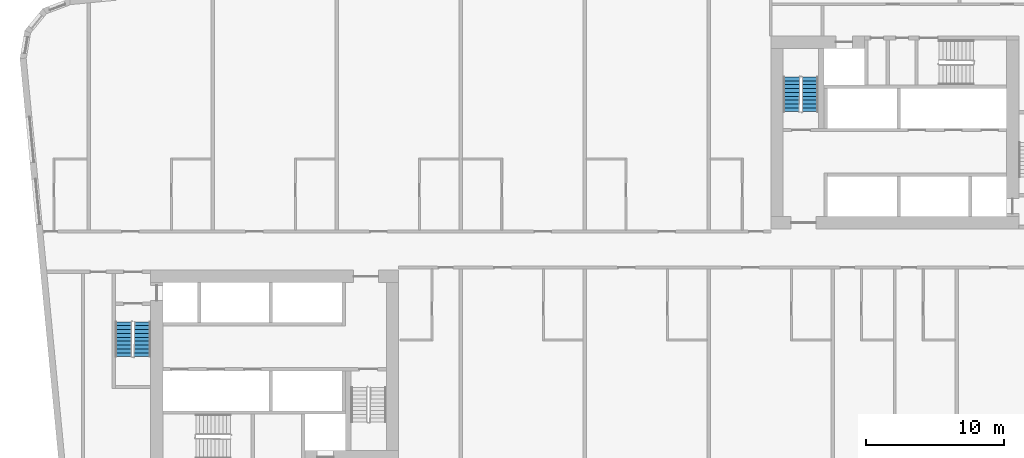
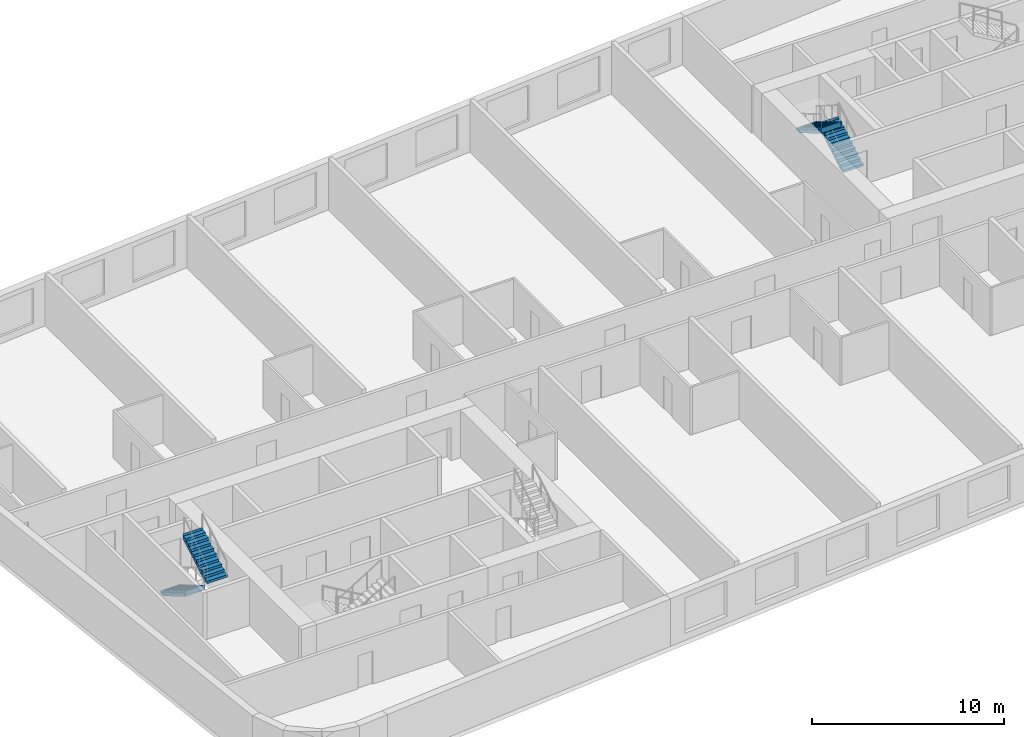
# One storey, part 10 of 12: 4 stair flights, 2 elements without a shape of their own.
"""IFC4 building model written with IfcOpenShell, lengths in metres."""

from ifc_helpers import new_model, si_unit, direction, frame, origin, place, context, subcontext, project, spatial, faceted_brep, material, type_object, element, aggregate, save


model = new_model("IFC4")

# Units and contexts
model_context = context("Model", 3, precision=1e-05, world=origin(), true_north=direction((0.0, 1.0)))
body_context = subcontext(model_context, "Body", "Model", "MODEL_VIEW")
ifc_project = project(units=[si_unit("LENGTHUNIT", "METRE"), si_unit("AREAUNIT", "SQUARE_METRE"), si_unit("VOLUMEUNIT", "CUBIC_METRE"), si_unit("PLANEANGLEUNIT", "RADIAN"), si_unit("MASSUNIT", "GRAM", prefix="KILO")], contexts=[model_context])

# Site, building, storey
site_placement = place(None, origin())
site = spatial("IfcSite", under=ifc_project, at=site_placement, CompositionType="ELEMENT")
building_placement = place(site_placement, origin())
building = spatial("IfcBuilding", under=site, at=building_placement, Name="Kajstack Hotel Tower", CompositionType="ELEMENT")
storey_placement = place(building_placement, frame((0.0, 0.0, 143.800048828125)))
storey = spatial("IfcBuildingStorey", under=building, at=storey_placement, Name="L33", CompositionType="ELEMENT", Elevation=143.800048828125)

# Stair, stair flights
ifc_material = material(Name="Concrete C40/50", Category="concrete")
stair_type = type_object("IfcStairType", Name="Exit stair 1200", PredefinedType="HALF_TURN_STAIR", material=ifc_material)
stair_1_placement = place(storey_placement, origin())
stair_1 = element("IfcStair", 1, at=stair_1_placement, inside=storey, type_object=stair_type, Name="L33 stair W1", PredefinedType="HALF_TURN_STAIR")
stair_flight_type = type_object("IfcStairFlightType", Name="Exit stair flight 1200", PredefinedType="STRAIGHT", material=ifc_material)
stair_flight_1_placement = place(storey_placement, frame((-33.449951171875, -5.25, 0.0), z_axis=(0.0, 0.0, 1.0), x_axis=(0.0, -1.0, 0.0)))
stair_flight_1 = element("IfcStairFlight", 2, at=stair_flight_1_placement, type_object=stair_flight_type, Name="W1 flight 1", NumberOfRisers=10, NumberOfTreads=9, PredefinedType="STRAIGHT", RiserHeight=0.165, TreadLength=0.28, context=body_context, shape_type="Brep", body=[
    faceted_brep([(0.295654296875, -0.60009765625, 0.0), (2.5205078125, -0.60009765625, 1.31103515625), (2.5205078125, -0.60009765625, 1.64990234375), (2.52001953125, -0.60009765625, 1.64990234375), (2.52001953125, -0.60009765625, 1.485107421875), (2.239990234375, -0.60009765625, 1.485107421875), (2.239990234375, -0.60009765625, 1.320068359375), (1.9599609375, -0.60009765625, 1.320068359375), (1.9599609375, -0.60009765625, 1.155029296875), (1.679931640625, -0.60009765625, 1.155029296875), (1.679931640625, -0.60009765625, 0.989990234375), (1.39990234375, -0.60009765625, 0.989990234375), (1.39990234375, -0.60009765625, 0.824951171875), (1.1201171875, -0.60009765625, 0.824951171875), (1.1201171875, -0.60009765625, 0.659912109375), (0.840087890625, -0.60009765625, 0.659912109375), (0.840087890625, -0.60009765625, 0.4951171875), (0.56005859375, -0.60009765625, 0.4951171875), (0.56005859375, -0.60009765625, 0.330078125), (0.280029296875, -0.60009765625, 0.330078125), (0.280029296875, -0.60009765625, 0.1650390625), (-0.00048828125, -0.60009765625, 0.1650390625), (-0.00048828125, -0.60009765625, 0.0), (-0.00048828125, 0.60009765625, 0.0), (-0.00048828125, 0.60009765625, 0.1650390625), (0.280029296875, 0.60009765625, 0.1650390625), (0.280029296875, 0.60009765625, 0.330078125), (0.56005859375, 0.60009765625, 0.330078125), (0.56005859375, 0.60009765625, 0.4951171875), (0.840087890625, 0.60009765625, 0.4951171875), (0.840087890625, 0.60009765625, 0.659912109375), (1.1201171875, 0.60009765625, 0.659912109375), (1.1201171875, 0.60009765625, 0.824951171875), (1.39990234375, 0.60009765625, 0.824951171875), (1.39990234375, 0.60009765625, 0.989990234375), (1.679931640625, 0.60009765625, 0.989990234375), (1.679931640625, 0.60009765625, 1.155029296875), (1.9599609375, 0.60009765625, 1.155029296875), (1.9599609375, 0.60009765625, 1.320068359375), (2.239990234375, 0.60009765625, 1.320068359375), (2.239990234375, 0.60009765625, 1.485107421875), (2.52001953125, 0.60009765625, 1.485107421875), (2.52001953125, 0.60009765625, 1.64990234375), (2.5205078125, 0.60009765625, 1.64990234375), (2.5205078125, 0.60009765625, 1.31103515625), (0.295654296875, 0.60009765625, 0.0), (-0.00048828125, -0.300048828125, 0.1650390625), (-0.00048828125, 0.0, 0.1650390625), (-0.00048828125, 0.300048828125, 0.1650390625), (-0.00048828125, 0.300048828125, 0.0), (-0.00048828125, 0.0, 0.0), (-0.00048828125, -0.300048828125, 0.0), (0.280029296875, -0.300048828125, 0.1650390625), (0.280029296875, 0.0, 0.1650390625), (0.280029296875, 0.300048828125, 0.1650390625), (0.280029296875, -0.300048828125, 0.330078125), (0.280029296875, 0.0, 0.330078125), (0.280029296875, 0.300048828125, 0.330078125), (0.56005859375, -0.300048828125, 0.330078125), (0.56005859375, 0.0, 0.330078125), (0.56005859375, 0.300048828125, 0.330078125), (0.56005859375, -0.300048828125, 0.4951171875), (0.56005859375, 0.0, 0.4951171875), (0.56005859375, 0.300048828125, 0.4951171875), (0.840087890625, -0.300048828125, 0.4951171875), (0.840087890625, 0.0, 0.4951171875), (0.840087890625, 0.300048828125, 0.4951171875), (0.840087890625, -0.300048828125, 0.659912109375), (0.840087890625, 0.0, 0.659912109375), (0.840087890625, 0.300048828125, 0.659912109375), (1.1201171875, -0.300048828125, 0.659912109375), (1.1201171875, 0.0, 0.659912109375), (1.1201171875, 0.300048828125, 0.659912109375), (1.1201171875, -0.300048828125, 0.824951171875), (1.1201171875, 0.0, 0.824951171875), (1.1201171875, 0.300048828125, 0.824951171875), (1.39990234375, -0.300048828125, 0.824951171875), (1.39990234375, 0.0, 0.824951171875), (1.39990234375, 0.300048828125, 0.824951171875), (1.39990234375, -0.300048828125, 0.989990234375), (1.39990234375, 0.0, 0.989990234375), (1.39990234375, 0.300048828125, 0.989990234375), (1.679931640625, -0.300048828125, 0.989990234375), (1.679931640625, 0.0, 0.989990234375), (1.679931640625, 0.300048828125, 0.989990234375), (1.679931640625, -0.300048828125, 1.155029296875), (1.679931640625, 0.0, 1.155029296875), (1.679931640625, 0.300048828125, 1.155029296875), (1.9599609375, -0.300048828125, 1.155029296875), (1.9599609375, 0.0, 1.155029296875), (1.9599609375, 0.300048828125, 1.155029296875), (1.9599609375, -0.300048828125, 1.320068359375), (1.9599609375, 0.0, 1.320068359375), (1.9599609375, 0.300048828125, 1.320068359375), (2.239990234375, -0.300048828125, 1.320068359375), (2.239990234375, 0.0, 1.320068359375), (2.239990234375, 0.300048828125, 1.320068359375), (2.239990234375, -0.300048828125, 1.485107421875), (2.239990234375, 0.0, 1.485107421875), (2.239990234375, 0.300048828125, 1.485107421875), (2.52001953125, -0.300048828125, 1.485107421875), (2.52001953125, 0.0, 1.485107421875), (2.52001953125, 0.300048828125, 1.485107421875), (2.52001953125, -0.300048828125, 1.64990234375), (2.52001953125, 0.0, 1.64990234375), (2.52001953125, 0.300048828125, 1.64990234375), (2.5205078125, -0.300048828125, 1.64990234375), (2.5205078125, 0.0, 1.64990234375), (2.5205078125, 0.300048828125, 1.64990234375), (2.5205078125, -0.300048828125, 1.31103515625), (2.5205078125, 0.0, 1.31103515625), (2.5205078125, 0.300048828125, 1.31103515625), (0.295654296875, -0.300048828125, 0.0), (0.295654296875, 0.0, 0.0), (0.295654296875, 0.300048828125, 0.0)], [[[0, 1, 2, 3, 4, 5, 6, 7, 8, 9, 10, 11, 12, 13, 14, 15, 16, 17, 18, 19, 20, 21, 22]], [[23, 24, 25, 26, 27, 28, 29, 30, 31, 32, 33, 34, 35, 36, 37, 38, 39, 40, 41, 42, 43, 44, 45]], [[21, 46, 47, 48, 24, 23, 49, 50, 51, 22]], [[20, 52, 53, 54, 25, 24, 48, 47, 46, 21]], [[19, 55, 56, 57, 26, 25, 54, 53, 52, 20]], [[18, 58, 59, 60, 27, 26, 57, 56, 55, 19]], [[17, 61, 62, 63, 28, 27, 60, 59, 58, 18]], [[16, 64, 65, 66, 29, 28, 63, 62, 61, 17]], [[15, 67, 68, 69, 30, 29, 66, 65, 64, 16]], [[14, 70, 71, 72, 31, 30, 69, 68, 67, 15]], [[13, 73, 74, 75, 32, 31, 72, 71, 70, 14]], [[12, 76, 77, 78, 33, 32, 75, 74, 73, 13]], [[11, 79, 80, 81, 34, 33, 78, 77, 76, 12]], [[10, 82, 83, 84, 35, 34, 81, 80, 79, 11]], [[9, 85, 86, 87, 36, 35, 84, 83, 82, 10]], [[8, 88, 89, 90, 37, 36, 87, 86, 85, 9]], [[7, 91, 92, 93, 38, 37, 90, 89, 88, 8]], [[6, 94, 95, 96, 39, 38, 93, 92, 91, 7]], [[5, 97, 98, 99, 40, 39, 96, 95, 94, 6]], [[4, 100, 101, 102, 41, 40, 99, 98, 97, 5]], [[3, 103, 104, 105, 42, 41, 102, 101, 100, 4]], [[2, 106, 107, 108, 43, 42, 105, 104, 103, 3]], [[1, 109, 110, 111, 44, 43, 108, 107, 106, 2]], [[0, 112, 113, 114, 45, 44, 111, 110, 109, 1]], [[22, 51, 50, 49, 23, 45, 114, 113, 112, 0]]]),
])
stair_flight_2_placement = place(storey_placement, frame((-32.10009765625, -7.77001953125, 1.64990234375), z_axis=(0.0, 0.0, 1.0), x_axis=(0.0, 1.0, 0.0)))
stair_flight_2 = element("IfcStairFlight", 3, at=stair_flight_2_placement, type_object=stair_flight_type, Name="W1 flight 2", NumberOfRisers=10, NumberOfTreads=9, PredefinedType="STRAIGHT", RiserHeight=0.165, TreadLength=0.28, context=body_context, shape_type="Brep", body=[
    faceted_brep([(0.295654296875, -0.60009765625, 0.0), (2.5205078125, -0.60009765625, 1.31103515625), (2.5205078125, -0.60009765625, 1.64990234375), (2.52001953125, -0.60009765625, 1.64990234375), (2.52001953125, -0.60009765625, 1.485107421875), (2.239990234375, -0.60009765625, 1.485107421875), (2.239990234375, -0.60009765625, 1.320068359375), (1.9599609375, -0.60009765625, 1.320068359375), (1.9599609375, -0.60009765625, 1.155029296875), (1.679931640625, -0.60009765625, 1.155029296875), (1.679931640625, -0.60009765625, 0.989990234375), (1.39990234375, -0.60009765625, 0.989990234375), (1.39990234375, -0.60009765625, 0.824951171875), (1.1201171875, -0.60009765625, 0.824951171875), (1.1201171875, -0.60009765625, 0.659912109375), (0.840087890625, -0.60009765625, 0.659912109375), (0.840087890625, -0.60009765625, 0.4951171875), (0.56005859375, -0.60009765625, 0.4951171875), (0.56005859375, -0.60009765625, 0.330078125), (0.280029296875, -0.60009765625, 0.330078125), (0.280029296875, -0.60009765625, 0.1650390625), (-0.00048828125, -0.60009765625, 0.1650390625), (-0.00048828125, -0.60009765625, 0.0), (-0.00048828125, 0.60009765625, 0.0), (-0.00048828125, 0.60009765625, 0.1650390625), (0.280029296875, 0.60009765625, 0.1650390625), (0.280029296875, 0.60009765625, 0.330078125), (0.56005859375, 0.60009765625, 0.330078125), (0.56005859375, 0.60009765625, 0.4951171875), (0.840087890625, 0.60009765625, 0.4951171875), (0.840087890625, 0.60009765625, 0.659912109375), (1.1201171875, 0.60009765625, 0.659912109375), (1.1201171875, 0.60009765625, 0.824951171875), (1.39990234375, 0.60009765625, 0.824951171875), (1.39990234375, 0.60009765625, 0.989990234375), (1.679931640625, 0.60009765625, 0.989990234375), (1.679931640625, 0.60009765625, 1.155029296875), (1.9599609375, 0.60009765625, 1.155029296875), (1.9599609375, 0.60009765625, 1.320068359375), (2.239990234375, 0.60009765625, 1.320068359375), (2.239990234375, 0.60009765625, 1.485107421875), (2.52001953125, 0.60009765625, 1.485107421875), (2.52001953125, 0.60009765625, 1.64990234375), (2.5205078125, 0.60009765625, 1.64990234375), (2.5205078125, 0.60009765625, 1.31103515625), (0.295654296875, 0.60009765625, 0.0), (-0.00048828125, -0.300048828125, 0.1650390625), (-0.00048828125, 0.0, 0.1650390625), (-0.00048828125, 0.300048828125, 0.1650390625), (-0.00048828125, 0.300048828125, 0.0), (-0.00048828125, 0.0, 0.0), (-0.00048828125, -0.300048828125, 0.0), (0.280029296875, -0.300048828125, 0.1650390625), (0.280029296875, 0.0, 0.1650390625), (0.280029296875, 0.300048828125, 0.1650390625), (0.280029296875, -0.300048828125, 0.330078125), (0.280029296875, 0.0, 0.330078125), (0.280029296875, 0.300048828125, 0.330078125), (0.56005859375, -0.300048828125, 0.330078125), (0.56005859375, 0.0, 0.330078125), (0.56005859375, 0.300048828125, 0.330078125), (0.56005859375, -0.300048828125, 0.4951171875), (0.56005859375, 0.0, 0.4951171875), (0.56005859375, 0.300048828125, 0.4951171875), (0.840087890625, -0.300048828125, 0.4951171875), (0.840087890625, 0.0, 0.4951171875), (0.840087890625, 0.300048828125, 0.4951171875), (0.840087890625, -0.300048828125, 0.659912109375), (0.840087890625, 0.0, 0.659912109375), (0.840087890625, 0.300048828125, 0.659912109375), (1.1201171875, -0.300048828125, 0.659912109375), (1.1201171875, 0.0, 0.659912109375), (1.1201171875, 0.300048828125, 0.659912109375), (1.1201171875, -0.300048828125, 0.824951171875), (1.1201171875, 0.0, 0.824951171875), (1.1201171875, 0.300048828125, 0.824951171875), (1.39990234375, -0.300048828125, 0.824951171875), (1.39990234375, 0.0, 0.824951171875), (1.39990234375, 0.300048828125, 0.824951171875), (1.39990234375, -0.300048828125, 0.989990234375), (1.39990234375, 0.0, 0.989990234375), (1.39990234375, 0.300048828125, 0.989990234375), (1.679931640625, -0.300048828125, 0.989990234375), (1.679931640625, 0.0, 0.989990234375), (1.679931640625, 0.300048828125, 0.989990234375), (1.679931640625, -0.300048828125, 1.155029296875), (1.679931640625, 0.0, 1.155029296875), (1.679931640625, 0.300048828125, 1.155029296875), (1.9599609375, -0.300048828125, 1.155029296875), (1.9599609375, 0.0, 1.155029296875), (1.9599609375, 0.300048828125, 1.155029296875), (1.9599609375, -0.300048828125, 1.320068359375), (1.9599609375, 0.0, 1.320068359375), (1.9599609375, 0.300048828125, 1.320068359375), (2.239990234375, -0.300048828125, 1.320068359375), (2.239990234375, 0.0, 1.320068359375), (2.239990234375, 0.300048828125, 1.320068359375), (2.239990234375, -0.300048828125, 1.485107421875), (2.239990234375, 0.0, 1.485107421875), (2.239990234375, 0.300048828125, 1.485107421875), (2.52001953125, -0.300048828125, 1.485107421875), (2.52001953125, 0.0, 1.485107421875), (2.52001953125, 0.300048828125, 1.485107421875), (2.52001953125, -0.300048828125, 1.64990234375), (2.52001953125, 0.0, 1.64990234375), (2.52001953125, 0.300048828125, 1.64990234375), (2.5205078125, -0.300048828125, 1.64990234375), (2.5205078125, 0.0, 1.64990234375), (2.5205078125, 0.300048828125, 1.64990234375), (2.5205078125, -0.300048828125, 1.31103515625), (2.5205078125, 0.0, 1.31103515625), (2.5205078125, 0.300048828125, 1.31103515625), (0.295654296875, -0.300048828125, 0.0), (0.295654296875, 0.0, 0.0), (0.295654296875, 0.300048828125, 0.0)], [[[0, 1, 2, 3, 4, 5, 6, 7, 8, 9, 10, 11, 12, 13, 14, 15, 16, 17, 18, 19, 20, 21, 22]], [[23, 24, 25, 26, 27, 28, 29, 30, 31, 32, 33, 34, 35, 36, 37, 38, 39, 40, 41, 42, 43, 44, 45]], [[21, 46, 47, 48, 24, 23, 49, 50, 51, 22]], [[20, 52, 53, 54, 25, 24, 48, 47, 46, 21]], [[19, 55, 56, 57, 26, 25, 54, 53, 52, 20]], [[18, 58, 59, 60, 27, 26, 57, 56, 55, 19]], [[17, 61, 62, 63, 28, 27, 60, 59, 58, 18]], [[16, 64, 65, 66, 29, 28, 63, 62, 61, 17]], [[15, 67, 68, 69, 30, 29, 66, 65, 64, 16]], [[14, 70, 71, 72, 31, 30, 69, 68, 67, 15]], [[13, 73, 74, 75, 32, 31, 72, 71, 70, 14]], [[12, 76, 77, 78, 33, 32, 75, 74, 73, 13]], [[11, 79, 80, 81, 34, 33, 78, 77, 76, 12]], [[10, 82, 83, 84, 35, 34, 81, 80, 79, 11]], [[9, 85, 86, 87, 36, 35, 84, 83, 82, 10]], [[8, 88, 89, 90, 37, 36, 87, 86, 85, 9]], [[7, 91, 92, 93, 38, 37, 90, 89, 88, 8]], [[6, 94, 95, 96, 39, 38, 93, 92, 91, 7]], [[5, 97, 98, 99, 40, 39, 96, 95, 94, 6]], [[4, 100, 101, 102, 41, 40, 99, 98, 97, 5]], [[3, 103, 104, 105, 42, 41, 102, 101, 100, 4]], [[2, 106, 107, 108, 43, 42, 105, 104, 103, 3]], [[1, 109, 110, 111, 44, 43, 108, 107, 106, 2]], [[0, 112, 113, 114, 45, 44, 111, 110, 109, 1]], [[22, 51, 50, 49, 23, 45, 114, 113, 112, 0]]]),
])
aggregate(stair_1, [stair_flight_1, stair_flight_2])

stair_2_placement = place(storey_placement, origin())
stair_2 = element("IfcStair", 4, at=stair_2_placement, inside=storey, type_object=stair_type, Name="L33 stair E2", PredefinedType="HALF_TURN_STAIR")
stair_flight_3_placement = place(storey_placement, frame((16.35009765625, 10.0, 0.0), z_axis=(0.0, 0.0, 1.0), x_axis=(0.0, 1.0, 0.0)))
stair_flight_3 = element("IfcStairFlight", 5, at=stair_flight_3_placement, type_object=stair_flight_type, Name="E2 flight 1", NumberOfRisers=10, NumberOfTreads=9, PredefinedType="STRAIGHT", RiserHeight=0.165, TreadLength=0.28, context=body_context, shape_type="Brep", body=[
    faceted_brep([(0.295654296875, -0.60009765625, 0.0), (2.5205078125, -0.60009765625, 1.31103515625), (2.5205078125, -0.60009765625, 1.64990234375), (2.52001953125, -0.60009765625, 1.64990234375), (2.52001953125, -0.60009765625, 1.485107421875), (2.239990234375, -0.60009765625, 1.485107421875), (2.239990234375, -0.60009765625, 1.320068359375), (1.9599609375, -0.60009765625, 1.320068359375), (1.9599609375, -0.60009765625, 1.155029296875), (1.679931640625, -0.60009765625, 1.155029296875), (1.679931640625, -0.60009765625, 0.989990234375), (1.39990234375, -0.60009765625, 0.989990234375), (1.39990234375, -0.60009765625, 0.824951171875), (1.1201171875, -0.60009765625, 0.824951171875), (1.1201171875, -0.60009765625, 0.659912109375), (0.840087890625, -0.60009765625, 0.659912109375), (0.840087890625, -0.60009765625, 0.4951171875), (0.56005859375, -0.60009765625, 0.4951171875), (0.56005859375, -0.60009765625, 0.330078125), (0.280029296875, -0.60009765625, 0.330078125), (0.280029296875, -0.60009765625, 0.1650390625), (-0.00048828125, -0.60009765625, 0.1650390625), (-0.00048828125, -0.60009765625, 0.0), (-0.00048828125, 0.60009765625, 0.0), (-0.00048828125, 0.60009765625, 0.1650390625), (0.280029296875, 0.60009765625, 0.1650390625), (0.280029296875, 0.60009765625, 0.330078125), (0.56005859375, 0.60009765625, 0.330078125), (0.56005859375, 0.60009765625, 0.4951171875), (0.840087890625, 0.60009765625, 0.4951171875), (0.840087890625, 0.60009765625, 0.659912109375), (1.1201171875, 0.60009765625, 0.659912109375), (1.1201171875, 0.60009765625, 0.824951171875), (1.39990234375, 0.60009765625, 0.824951171875), (1.39990234375, 0.60009765625, 0.989990234375), (1.679931640625, 0.60009765625, 0.989990234375), (1.679931640625, 0.60009765625, 1.155029296875), (1.9599609375, 0.60009765625, 1.155029296875), (1.9599609375, 0.60009765625, 1.320068359375), (2.239990234375, 0.60009765625, 1.320068359375), (2.239990234375, 0.60009765625, 1.485107421875), (2.52001953125, 0.60009765625, 1.485107421875), (2.52001953125, 0.60009765625, 1.64990234375), (2.5205078125, 0.60009765625, 1.64990234375), (2.5205078125, 0.60009765625, 1.31103515625), (0.295654296875, 0.60009765625, 0.0), (-0.00048828125, -0.300048828125, 0.1650390625), (-0.00048828125, 0.0, 0.1650390625), (-0.00048828125, 0.300048828125, 0.1650390625), (-0.00048828125, 0.300048828125, 0.0), (-0.00048828125, 0.0, 0.0), (-0.00048828125, -0.300048828125, 0.0), (0.280029296875, -0.300048828125, 0.1650390625), (0.280029296875, 0.0, 0.1650390625), (0.280029296875, 0.300048828125, 0.1650390625), (0.280029296875, -0.300048828125, 0.330078125), (0.280029296875, 0.0, 0.330078125), (0.280029296875, 0.300048828125, 0.330078125), (0.56005859375, -0.300048828125, 0.330078125), (0.56005859375, 0.0, 0.330078125), (0.56005859375, 0.300048828125, 0.330078125), (0.56005859375, -0.300048828125, 0.4951171875), (0.56005859375, 0.0, 0.4951171875), (0.56005859375, 0.300048828125, 0.4951171875), (0.840087890625, -0.300048828125, 0.4951171875), (0.840087890625, 0.0, 0.4951171875), (0.840087890625, 0.300048828125, 0.4951171875), (0.840087890625, -0.300048828125, 0.659912109375), (0.840087890625, 0.0, 0.659912109375), (0.840087890625, 0.300048828125, 0.659912109375), (1.1201171875, -0.300048828125, 0.659912109375), (1.1201171875, 0.0, 0.659912109375), (1.1201171875, 0.300048828125, 0.659912109375), (1.1201171875, -0.300048828125, 0.824951171875), (1.1201171875, 0.0, 0.824951171875), (1.1201171875, 0.300048828125, 0.824951171875), (1.39990234375, -0.300048828125, 0.824951171875), (1.39990234375, 0.0, 0.824951171875), (1.39990234375, 0.300048828125, 0.824951171875), (1.39990234375, -0.300048828125, 0.989990234375), (1.39990234375, 0.0, 0.989990234375), (1.39990234375, 0.300048828125, 0.989990234375), (1.679931640625, -0.300048828125, 0.989990234375), (1.679931640625, 0.0, 0.989990234375), (1.679931640625, 0.300048828125, 0.989990234375), (1.679931640625, -0.300048828125, 1.155029296875), (1.679931640625, 0.0, 1.155029296875), (1.679931640625, 0.300048828125, 1.155029296875), (1.9599609375, -0.300048828125, 1.155029296875), (1.9599609375, 0.0, 1.155029296875), (1.9599609375, 0.300048828125, 1.155029296875), (1.9599609375, -0.300048828125, 1.320068359375), (1.9599609375, 0.0, 1.320068359375), (1.9599609375, 0.300048828125, 1.320068359375), (2.239990234375, -0.300048828125, 1.320068359375), (2.239990234375, 0.0, 1.320068359375), (2.239990234375, 0.300048828125, 1.320068359375), (2.239990234375, -0.300048828125, 1.485107421875), (2.239990234375, 0.0, 1.485107421875), (2.239990234375, 0.300048828125, 1.485107421875), (2.52001953125, -0.300048828125, 1.485107421875), (2.52001953125, 0.0, 1.485107421875), (2.52001953125, 0.300048828125, 1.485107421875), (2.52001953125, -0.300048828125, 1.64990234375), (2.52001953125, 0.0, 1.64990234375), (2.52001953125, 0.300048828125, 1.64990234375), (2.5205078125, -0.300048828125, 1.64990234375), (2.5205078125, 0.0, 1.64990234375), (2.5205078125, 0.300048828125, 1.64990234375), (2.5205078125, -0.300048828125, 1.31103515625), (2.5205078125, 0.0, 1.31103515625), (2.5205078125, 0.300048828125, 1.31103515625), (0.295654296875, -0.300048828125, 0.0), (0.295654296875, 0.0, 0.0), (0.295654296875, 0.300048828125, 0.0)], [[[0, 1, 2, 3, 4, 5, 6, 7, 8, 9, 10, 11, 12, 13, 14, 15, 16, 17, 18, 19, 20, 21, 22]], [[23, 24, 25, 26, 27, 28, 29, 30, 31, 32, 33, 34, 35, 36, 37, 38, 39, 40, 41, 42, 43, 44, 45]], [[21, 46, 47, 48, 24, 23, 49, 50, 51, 22]], [[20, 52, 53, 54, 25, 24, 48, 47, 46, 21]], [[19, 55, 56, 57, 26, 25, 54, 53, 52, 20]], [[18, 58, 59, 60, 27, 26, 57, 56, 55, 19]], [[17, 61, 62, 63, 28, 27, 60, 59, 58, 18]], [[16, 64, 65, 66, 29, 28, 63, 62, 61, 17]], [[15, 67, 68, 69, 30, 29, 66, 65, 64, 16]], [[14, 70, 71, 72, 31, 30, 69, 68, 67, 15]], [[13, 73, 74, 75, 32, 31, 72, 71, 70, 14]], [[12, 76, 77, 78, 33, 32, 75, 74, 73, 13]], [[11, 79, 80, 81, 34, 33, 78, 77, 76, 12]], [[10, 82, 83, 84, 35, 34, 81, 80, 79, 11]], [[9, 85, 86, 87, 36, 35, 84, 83, 82, 10]], [[8, 88, 89, 90, 37, 36, 87, 86, 85, 9]], [[7, 91, 92, 93, 38, 37, 90, 89, 88, 8]], [[6, 94, 95, 96, 39, 38, 93, 92, 91, 7]], [[5, 97, 98, 99, 40, 39, 96, 95, 94, 6]], [[4, 100, 101, 102, 41, 40, 99, 98, 97, 5]], [[3, 103, 104, 105, 42, 41, 102, 101, 100, 4]], [[2, 106, 107, 108, 43, 42, 105, 104, 103, 3]], [[1, 109, 110, 111, 44, 43, 108, 107, 106, 2]], [[0, 112, 113, 114, 45, 44, 111, 110, 109, 1]], [[22, 51, 50, 49, 23, 45, 114, 113, 112, 0]]]),
])
stair_flight_4_placement = place(storey_placement, frame((15.0, 12.52001953125, 1.64990234375), z_axis=(0.0, 0.0, 1.0), x_axis=(0.0, -1.0, 0.0)))
stair_flight_4 = element("IfcStairFlight", 6, at=stair_flight_4_placement, type_object=stair_flight_type, Name="E2 flight 2", NumberOfRisers=10, NumberOfTreads=9, PredefinedType="STRAIGHT", RiserHeight=0.165, TreadLength=0.28, context=body_context, shape_type="Brep", body=[
    faceted_brep([(0.295654296875, -0.60009765625, 0.0), (2.5205078125, -0.60009765625, 1.31103515625), (2.5205078125, -0.60009765625, 1.64990234375), (2.52001953125, -0.60009765625, 1.64990234375), (2.52001953125, -0.60009765625, 1.485107421875), (2.239990234375, -0.60009765625, 1.485107421875), (2.239990234375, -0.60009765625, 1.320068359375), (1.9599609375, -0.60009765625, 1.320068359375), (1.9599609375, -0.60009765625, 1.155029296875), (1.679931640625, -0.60009765625, 1.155029296875), (1.679931640625, -0.60009765625, 0.989990234375), (1.39990234375, -0.60009765625, 0.989990234375), (1.39990234375, -0.60009765625, 0.824951171875), (1.1201171875, -0.60009765625, 0.824951171875), (1.1201171875, -0.60009765625, 0.659912109375), (0.840087890625, -0.60009765625, 0.659912109375), (0.840087890625, -0.60009765625, 0.4951171875), (0.56005859375, -0.60009765625, 0.4951171875), (0.56005859375, -0.60009765625, 0.330078125), (0.280029296875, -0.60009765625, 0.330078125), (0.280029296875, -0.60009765625, 0.1650390625), (-0.00048828125, -0.60009765625, 0.1650390625), (-0.00048828125, -0.60009765625, 0.0), (-0.00048828125, 0.60009765625, 0.0), (-0.00048828125, 0.60009765625, 0.1650390625), (0.280029296875, 0.60009765625, 0.1650390625), (0.280029296875, 0.60009765625, 0.330078125), (0.56005859375, 0.60009765625, 0.330078125), (0.56005859375, 0.60009765625, 0.4951171875), (0.840087890625, 0.60009765625, 0.4951171875), (0.840087890625, 0.60009765625, 0.659912109375), (1.1201171875, 0.60009765625, 0.659912109375), (1.1201171875, 0.60009765625, 0.824951171875), (1.39990234375, 0.60009765625, 0.824951171875), (1.39990234375, 0.60009765625, 0.989990234375), (1.679931640625, 0.60009765625, 0.989990234375), (1.679931640625, 0.60009765625, 1.155029296875), (1.9599609375, 0.60009765625, 1.155029296875), (1.9599609375, 0.60009765625, 1.320068359375), (2.239990234375, 0.60009765625, 1.320068359375), (2.239990234375, 0.60009765625, 1.485107421875), (2.52001953125, 0.60009765625, 1.485107421875), (2.52001953125, 0.60009765625, 1.64990234375), (2.5205078125, 0.60009765625, 1.64990234375), (2.5205078125, 0.60009765625, 1.31103515625), (0.295654296875, 0.60009765625, 0.0), (-0.00048828125, -0.300048828125, 0.1650390625), (-0.00048828125, 0.0, 0.1650390625), (-0.00048828125, 0.300048828125, 0.1650390625), (-0.00048828125, 0.300048828125, 0.0), (-0.00048828125, 0.0, 0.0), (-0.00048828125, -0.300048828125, 0.0), (0.280029296875, -0.300048828125, 0.1650390625), (0.280029296875, 0.0, 0.1650390625), (0.280029296875, 0.300048828125, 0.1650390625), (0.280029296875, -0.300048828125, 0.330078125), (0.280029296875, 0.0, 0.330078125), (0.280029296875, 0.300048828125, 0.330078125), (0.56005859375, -0.300048828125, 0.330078125), (0.56005859375, 0.0, 0.330078125), (0.56005859375, 0.300048828125, 0.330078125), (0.56005859375, -0.300048828125, 0.4951171875), (0.56005859375, 0.0, 0.4951171875), (0.56005859375, 0.300048828125, 0.4951171875), (0.840087890625, -0.300048828125, 0.4951171875), (0.840087890625, 0.0, 0.4951171875), (0.840087890625, 0.300048828125, 0.4951171875), (0.840087890625, -0.300048828125, 0.659912109375), (0.840087890625, 0.0, 0.659912109375), (0.840087890625, 0.300048828125, 0.659912109375), (1.1201171875, -0.300048828125, 0.659912109375), (1.1201171875, 0.0, 0.659912109375), (1.1201171875, 0.300048828125, 0.659912109375), (1.1201171875, -0.300048828125, 0.824951171875), (1.1201171875, 0.0, 0.824951171875), (1.1201171875, 0.300048828125, 0.824951171875), (1.39990234375, -0.300048828125, 0.824951171875), (1.39990234375, 0.0, 0.824951171875), (1.39990234375, 0.300048828125, 0.824951171875), (1.39990234375, -0.300048828125, 0.989990234375), (1.39990234375, 0.0, 0.989990234375), (1.39990234375, 0.300048828125, 0.989990234375), (1.679931640625, -0.300048828125, 0.989990234375), (1.679931640625, 0.0, 0.989990234375), (1.679931640625, 0.300048828125, 0.989990234375), (1.679931640625, -0.300048828125, 1.155029296875), (1.679931640625, 0.0, 1.155029296875), (1.679931640625, 0.300048828125, 1.155029296875), (1.9599609375, -0.300048828125, 1.155029296875), (1.9599609375, 0.0, 1.155029296875), (1.9599609375, 0.300048828125, 1.155029296875), (1.9599609375, -0.300048828125, 1.320068359375), (1.9599609375, 0.0, 1.320068359375), (1.9599609375, 0.300048828125, 1.320068359375), (2.239990234375, -0.300048828125, 1.320068359375), (2.239990234375, 0.0, 1.320068359375), (2.239990234375, 0.300048828125, 1.320068359375), (2.239990234375, -0.300048828125, 1.485107421875), (2.239990234375, 0.0, 1.485107421875), (2.239990234375, 0.300048828125, 1.485107421875), (2.52001953125, -0.300048828125, 1.485107421875), (2.52001953125, 0.0, 1.485107421875), (2.52001953125, 0.300048828125, 1.485107421875), (2.52001953125, -0.300048828125, 1.64990234375), (2.52001953125, 0.0, 1.64990234375), (2.52001953125, 0.300048828125, 1.64990234375), (2.5205078125, -0.300048828125, 1.64990234375), (2.5205078125, 0.0, 1.64990234375), (2.5205078125, 0.300048828125, 1.64990234375), (2.5205078125, -0.300048828125, 1.31103515625), (2.5205078125, 0.0, 1.31103515625), (2.5205078125, 0.300048828125, 1.31103515625), (0.295654296875, -0.300048828125, 0.0), (0.295654296875, 0.0, 0.0), (0.295654296875, 0.300048828125, 0.0)], [[[0, 1, 2, 3, 4, 5, 6, 7, 8, 9, 10, 11, 12, 13, 14, 15, 16, 17, 18, 19, 20, 21, 22]], [[23, 24, 25, 26, 27, 28, 29, 30, 31, 32, 33, 34, 35, 36, 37, 38, 39, 40, 41, 42, 43, 44, 45]], [[21, 46, 47, 48, 24, 23, 49, 50, 51, 22]], [[20, 52, 53, 54, 25, 24, 48, 47, 46, 21]], [[19, 55, 56, 57, 26, 25, 54, 53, 52, 20]], [[18, 58, 59, 60, 27, 26, 57, 56, 55, 19]], [[17, 61, 62, 63, 28, 27, 60, 59, 58, 18]], [[16, 64, 65, 66, 29, 28, 63, 62, 61, 17]], [[15, 67, 68, 69, 30, 29, 66, 65, 64, 16]], [[14, 70, 71, 72, 31, 30, 69, 68, 67, 15]], [[13, 73, 74, 75, 32, 31, 72, 71, 70, 14]], [[12, 76, 77, 78, 33, 32, 75, 74, 73, 13]], [[11, 79, 80, 81, 34, 33, 78, 77, 76, 12]], [[10, 82, 83, 84, 35, 34, 81, 80, 79, 11]], [[9, 85, 86, 87, 36, 35, 84, 83, 82, 10]], [[8, 88, 89, 90, 37, 36, 87, 86, 85, 9]], [[7, 91, 92, 93, 38, 37, 90, 89, 88, 8]], [[6, 94, 95, 96, 39, 38, 93, 92, 91, 7]], [[5, 97, 98, 99, 40, 39, 96, 95, 94, 6]], [[4, 100, 101, 102, 41, 40, 99, 98, 97, 5]], [[3, 103, 104, 105, 42, 41, 102, 101, 100, 4]], [[2, 106, 107, 108, 43, 42, 105, 104, 103, 3]], [[1, 109, 110, 111, 44, 43, 108, 107, 106, 2]], [[0, 112, 113, 114, 45, 44, 111, 110, 109, 1]], [[22, 51, 50, 49, 23, 45, 114, 113, 112, 0]]]),
])
aggregate(stair_2, [stair_flight_3, stair_flight_4])

save(model, "model.ifc")
